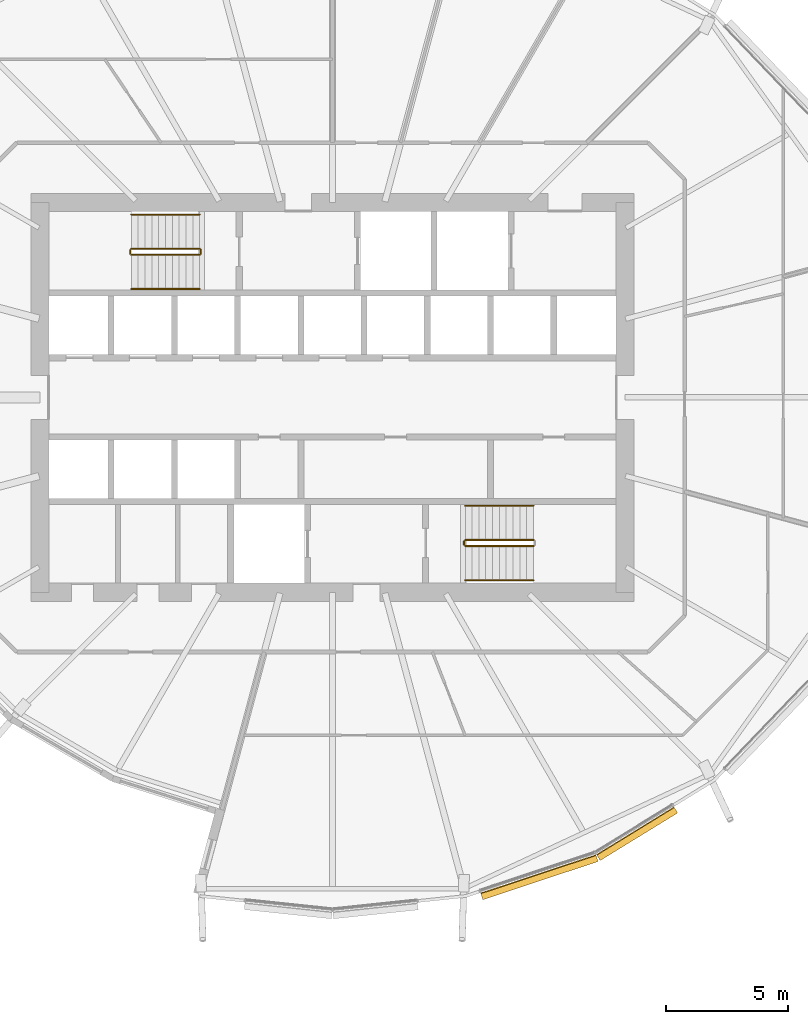
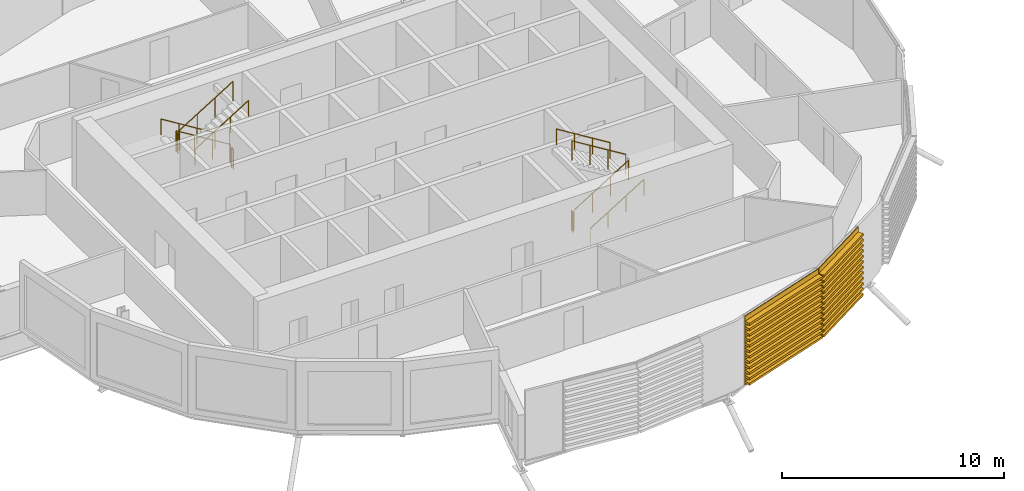
# One storey, part 34 of 39: 11 railings, 2 coverings.
"""IFC4 building model written with IfcOpenShell, lengths in metres."""

import ifcopenshell
import ifcopenshell.guid

model = None  # the IFC model being written
_history = None  # IfcOwnerHistory: only IFC2X3 demands one
_inside = {}  # id of a spatial element -> (the spatial element, [elements in it])
_under = {}  # id of a project, library or spatial element -> (it, [spatial elements below it])
_declared = {}  # id of a project -> (the project, [libraries it declares])
_typed = {}  # id of a type object -> (the type object, [elements of that type])
_made_of = {}  # id of a material, layer set ... -> (it, [elements and type objects made of it])


def new_model(schema):
    """Start an empty IFC model of exactly this schema.

    Asked for "IFC4X3", IfcOpenShell would pick the latest addendum, in which some entities
    have other attributes; the version numbers below select the first issue.
    IFC2X3 requires an IfcOwnerHistory on every rooted entity: one is made here for all.
    """
    global model, _history
    if schema == "IFC4X3":
        model = ifcopenshell.file(schema_version=(4, 3, 0, 0))
    else:
        model = ifcopenshell.file(schema=schema)
    _inside.clear()
    _under.clear()
    _declared.clear()
    _typed.clear()
    _made_of.clear()
    _history = None
    if model.schema == "IFC2X3":
        org = make("IfcOrganization", Name="unknown")
        user = make(
            "IfcPersonAndOrganization",
            ThePerson=make("IfcPerson", FamilyName="unknown"),
            TheOrganization=org,
        )
        app = make(
            "IfcApplication",
            ApplicationDeveloper=org,
            Version="unknown",
            ApplicationFullName="unknown",
            ApplicationIdentifier="unknown",
        )
        _history = make(
            "IfcOwnerHistory",
            OwningUser=user,
            OwningApplication=app,
            ChangeAction="ADDED",
            CreationDate=0,
        )
    return model


def make(cls, **values):
    """One entity of the class cls with the attributes given. An attribute that is None is left unset."""
    return model.create_entity(
        cls, **{name: value for name, value in values.items() if value is not None}
    )


def rooted(cls, **values):
    """An entity with a GlobalId (a new one), such as an element, a storey or a relation."""
    return make(cls, GlobalId=ifcopenshell.guid.new(), OwnerHistory=_history, **values)


def si_unit(unit_type, name, prefix=None):
    """IfcSIUnit, for example si_unit("LENGTHUNIT", "METRE", prefix="MILLI")."""
    return make("IfcSIUnit", UnitType=unit_type, Prefix=prefix, Name=name)


def assignment(units):
    """IfcUnitAssignment: the units of a project."""
    return None if units is None else make("IfcUnitAssignment", Units=units)


def point(xyz):
    """IfcCartesianPoint."""
    return None if xyz is None else make("IfcCartesianPoint", Coordinates=xyz)


def direction(xyz):
    """IfcDirection."""
    return None if xyz is None else make("IfcDirection", DirectionRatios=xyz)


def frame(location, z_axis=None, x_axis=None):
    """IfcAxis2Placement3D, a coordinate frame: its origin and axes. An axis left out is left unset."""
    return make(
        "IfcAxis2Placement3D",
        Location=point(location),
        Axis=direction(z_axis),
        RefDirection=direction(x_axis),
    )


def frame_2d(location, x_axis=None):
    """IfcAxis2Placement2D, a coordinate frame in the plane: its origin and x axis."""
    return make(
        "IfcAxis2Placement2D", Location=point(location), RefDirection=direction(x_axis)
    )


def origin():
    """The frame at (0, 0, 0) with its axes left unset."""
    return frame((0.0, 0.0, 0.0))


def origin_2d():
    """The frame at (0, 0) in the plane with its x axis left unset."""
    return frame_2d((0.0, 0.0))


def place(relative_to, where):
    """IfcLocalPlacement: puts the frame where relative to a parent placement (None: the world)."""
    return make(
        "IfcLocalPlacement", PlacementRelTo=relative_to, RelativePlacement=where
    )


def context(
    kind, dimensions, precision=None, world=None, true_north=None, identifier=None
):
    """IfcGeometricRepresentationContext, for example the 3D "Model" context."""
    return make(
        "IfcGeometricRepresentationContext",
        ContextIdentifier=identifier,
        ContextType=kind,
        CoordinateSpaceDimension=dimensions,
        Precision=precision,
        WorldCoordinateSystem=world,
        TrueNorth=true_north,
    )


def subcontext(parent, identifier, kind, view, scale=None):
    """IfcGeometricRepresentationSubContext, for example "Body" below "Model"."""
    return make(
        "IfcGeometricRepresentationSubContext",
        ContextIdentifier=identifier,
        ContextType=kind,
        ParentContext=parent,
        TargetScale=scale,
        TargetView=view,
    )


def project(units=None, contexts=None):
    """IfcProject with its units and contexts."""
    return rooted(
        "IfcProject",
        Name="project",
        RepresentationContexts=contexts,
        UnitsInContext=assignment(units),
    )


def spatial(cls, under=None, at=None, **own):
    """A site, building, storey or space (cls), placed at a placement, below another one or the project."""
    s = rooted(cls, ObjectPlacement=at, **own)
    if under is not None:
        _under.setdefault(under.id(), (under, []))[1].append(s)
    return s


def polyline(points):
    """IfcPolyline through the points."""
    return make("IfcPolyline", Points=[point(p) for p in points])


def profile(cls, at=None, kind="AREA", **sizes):
    """A parametric profile (cls). Its sizes go by their IFC names, for example OverallWidth=200.0."""
    return make(cls, ProfileType=kind, Position=at, **sizes)


def circle(**sizes):
    """IfcCircleProfileDef."""
    return profile("IfcCircleProfileDef", **sizes)


def outline(outer, holes=None, kind="AREA"):
    """IfcArbitraryClosedProfileDef: a profile drawn as a closed curve; with holes, ...WithVoids."""
    if holes is None:
        return make("IfcArbitraryClosedProfileDef", ProfileType=kind, OuterCurve=outer)
    return make(
        "IfcArbitraryProfileDefWithVoids",
        ProfileType=kind,
        OuterCurve=outer,
        InnerCurves=holes,
    )


def extrude(swept, where, along, depth):
    """IfcExtrudedAreaSolid: the profile swept, set in the frame where, extruded along a direction by depth."""
    return make(
        "IfcExtrudedAreaSolid",
        SweptArea=swept,
        Position=where,
        ExtrudedDirection=direction(along),
        Depth=depth,
    )


def shape(context_of_items, identifier, shape_type, items):
    """IfcShapeRepresentation: the items that make up one representation, for example the "Body"."""
    return make(
        "IfcShapeRepresentation",
        ContextOfItems=context_of_items,
        RepresentationIdentifier=identifier,
        RepresentationType=shape_type,
        Items=items,
    )


def material(Name=None, Category=None):
    """IfcMaterial."""
    return make("IfcMaterial", Name=Name, Category=Category)


def material_profile(
    of_material, cross_section, Name=None, Category=None, Priority=None
):
    """IfcMaterialProfile: a cross section and its material."""
    return make(
        "IfcMaterialProfile",
        Name=Name,
        Material=of_material,
        Profile=cross_section,
        Priority=Priority,
        Category=Category,
    )


def profile_set(profiles, Name=None, composite=None):
    """IfcMaterialProfileSet."""
    return make(
        "IfcMaterialProfileSet",
        Name=Name,
        MaterialProfiles=profiles,
        CompositeProfile=composite,
    )


def made_of(thing, what):
    """Note that an element or type object is made of a material, layer set ...; save() writes the relation."""
    if what is not None:
        _made_of.setdefault(what.id(), (what, []))[1].append(thing)
    return thing


def type_object(cls, material=None, **own):
    """A type object (cls), such as IfcWallType, which elements share."""
    return made_of(rooted(cls, **own), material)


def element(
    cls,
    number,
    at=None,
    inside=None,
    cuts=None,
    type_object=None,
    material=None,
    context=None,
    identifier="Body",
    shape_type=None,
    held_by="IfcProductDefinitionShape",
    body=None,
    shapes=None,
    **own,
):
    """One element of the class cls, such as IfcWall. Its Tag is "e" and its number.

    at: its placement. inside: the storey or other place that contains it. cuts: it is an
    opening in that element (IfcRelVoidsElement). A single representation is given by context,
    identifier, shape_type and body (its items); several are given by shapes. held_by: the class
    of the entity that holds the representations. save() writes the other relations.
    """
    e = rooted(cls, Tag="e%d" % number, ObjectPlacement=at, **own)
    if body is not None:
        shapes = [shape(context, identifier, shape_type, body)]
    if shapes is not None:
        e.Representation = make(held_by, Representations=shapes)
    if inside is not None:
        _inside.setdefault(inside.id(), (inside, []))[1].append(e)
    if cuts is not None:
        rooted(
            "IfcRelVoidsElement", RelatingBuildingElement=cuts, RelatedOpeningElement=e
        )
    if type_object is not None:
        _typed.setdefault(type_object.id(), (type_object, []))[1].append(e)
    return made_of(e, material)


def aggregate(whole, parts):
    """IfcRelAggregates: a whole, such as a stair, and the parts it consists of."""
    return rooted("IfcRelAggregates", RelatingObject=whole, RelatedObjects=parts)


def save(model, path):
    """Write the relations noted so far, then the file.

    IfcRelAggregates (storeys below a building ...), IfcRelContainedInSpatialStructure (elements
    in a storey), IfcRelDefinesByType, IfcRelAssociatesMaterial and IfcRelDeclares: one each for
    every whole, place, type object, material and project.
    """
    for whole, parts in _under.values():
        aggregate(whole, parts)
    for where, things in _inside.values():
        rooted(
            "IfcRelContainedInSpatialStructure",
            RelatedElements=things,
            RelatingStructure=where,
        )
    for kind, things in _typed.values():
        rooted("IfcRelDefinesByType", RelatedObjects=things, RelatingType=kind)
    for what, things in _made_of.values():
        rooted("IfcRelAssociatesMaterial", RelatedObjects=things, RelatingMaterial=what)
    for by, libraries in _declared.values():
        rooted("IfcRelDeclares", RelatingContext=by, RelatedDefinitions=libraries)
    model.write(path)


model = new_model("IFC4")

# Units and contexts
model_context = context("Model", 3, precision=1e-05, world=origin(), true_north=direction((0.0, 1.0)))
body_context = subcontext(model_context, "Body", "Model", "MODEL_VIEW")
ifc_project = project(units=[si_unit("LENGTHUNIT", "METRE"), si_unit("AREAUNIT", "SQUARE_METRE"), si_unit("VOLUMEUNIT", "CUBIC_METRE"), si_unit("PLANEANGLEUNIT", "RADIAN"), si_unit("MASSUNIT", "GRAM", prefix="KILO")], contexts=[model_context])

# Site, building, storey
site_placement = place(None, origin())
site = spatial("IfcSite", under=ifc_project, at=site_placement, CompositionType="ELEMENT")
building_placement = place(site_placement, origin())
building = spatial("IfcBuilding", under=site, at=building_placement, Name="Rimbun Link Towers", CompositionType="ELEMENT")
storey_placement = place(building_placement, frame((0.0, 0.0, 96.800048828125)))
storey = spatial("IfcBuildingStorey", under=building, at=storey_placement, Name="L23", CompositionType="ELEMENT", Elevation=96.800048828125)

# Railings
ifc_material_1 = material(Name="Stainless steel grade 316", Category="steel")
railing_type_1 = type_object("IfcRailingType", Name="Stair guard", PredefinedType="GUARDRAIL", material=ifc_material_1)
railing_1_placement = place(storey_placement, frame((-37.199951171875, 6.10009765625, 0.172607421875)))
element("IfcRailing", 1, at=railing_1_placement, inside=storey, type_object=railing_type_1, Name="L23 ST1 stair guard 1", PredefinedType="GUARDRAIL", context=body_context, shape_type="SweptSolid", body=[
    extrude(circle(Radius=0.02392578125, at=origin_2d()), frame((0.0, 0.0, 1.076171875), z_axis=(-0.851089632645, 0.0, 0.525020415988), x_axis=(0.0, -1.0, 0.0)), (0.0, 0.0, 1.0), 3.2900390625),
    extrude(circle(Radius=0.02099609375, at=origin_2d()), origin(), (0.0, 0.0, 1.0), 1.052001953125),
    extrude(circle(Radius=0.02099609375, at=origin_2d()), frame((-0.933349609375, 0.0, 0.57568359375)), (0.0, 0.0, 1.0), 1.052001953125),
    extrude(circle(Radius=0.02099609375, at=origin_2d()), frame((-1.86669921875, 0.0, 1.151611328125)), (0.0, 0.0, 1.0), 1.052001953125),
    extrude(circle(Radius=0.02099609375, at=origin_2d()), frame((-2.800048828125, 0.0, 1.727294921875)), (0.0, 0.0, 1.0), 1.052001953125),
])
railing_2_placement = place(storey_placement, frame((-40.050048828125, 6.050048828125, 1.89990234375)))
element("IfcRailing", 2, at=railing_2_placement, inside=storey, type_object=railing_type_1, Name="L23 ST1 stair guard 2", PredefinedType="GUARDRAIL", context=body_context, shape_type="SweptSolid", body=[
    extrude(circle(Radius=0.02392578125, at=origin_2d()), frame((0.0, 0.0, 1.076171875), z_axis=(0.0, -1.0, 0.0), x_axis=(1.0, 0.0, 0.0)), (0.0, 0.0, 1.0), 0.150146484375),
    extrude(circle(Radius=0.02099609375, at=origin_2d()), origin(), (0.0, 0.0, 1.0), 1.052001953125),
    extrude(circle(Radius=0.02099609375, at=origin_2d()), frame((0.0, -0.150146484375, 0.0)), (0.0, 0.0, 1.0), 1.052001953125),
])
railing_3_placement = place(storey_placement, frame((-40.0, 5.85009765625, 2.07275390625)))
element("IfcRailing", 3, at=railing_3_placement, inside=storey, type_object=railing_type_1, Name="L23 ST1 stair guard 3", PredefinedType="GUARDRAIL", context=body_context, shape_type="SweptSolid", body=[
    extrude(circle(Radius=0.02392578125, at=origin_2d()), frame((0.0, 0.0, 1.076171875), z_axis=(0.851089632645, 0.0, 0.525020415988), x_axis=(0.0, 1.0, 0.0)), (0.0, 0.0, 1.0), 3.2900390625),
    extrude(circle(Radius=0.02099609375, at=origin_2d()), origin(), (0.0, 0.0, 1.0), 1.052001953125),
    extrude(circle(Radius=0.02099609375, at=origin_2d()), frame((0.933349609375, 0.0, 0.57568359375)), (0.0, 0.0, 1.0), 1.052001953125),
    extrude(circle(Radius=0.02099609375, at=origin_2d()), frame((1.86669921875, 0.0, 1.151611328125)), (0.0, 0.0, 1.0), 1.052001953125),
    extrude(circle(Radius=0.02099609375, at=origin_2d()), frame((2.800048828125, 0.0, 1.727294921875)), (0.0, 0.0, 1.0), 1.052001953125),
])
railing_4_placement = place(storey_placement, frame((-37.14990234375, 6.050048828125, 0.0)))
element("IfcRailing", 4, at=railing_4_placement, inside=storey, type_object=railing_type_1, Name="L23 ST1 stair guard 4", PredefinedType="GUARDRAIL", context=body_context, shape_type="SweptSolid", body=[
    extrude(circle(Radius=0.02392578125, at=origin_2d()), frame((0.0, 0.0, 1.076171875), z_axis=(0.0, -1.0, 0.0), x_axis=(1.0, 0.0, 0.0)), (0.0, 0.0, 1.0), 0.150146484375),
    extrude(circle(Radius=0.02099609375, at=origin_2d()), origin(), (0.0, 0.0, 1.0), 1.052001953125),
    extrude(circle(Radius=0.02099609375, at=origin_2d()), frame((0.0, -0.150146484375, 0.0)), (0.0, 0.0, 1.0), 1.052001953125),
])
railing_5_placement = place(storey_placement, frame((-26.300048828125, -6.10009765625, 0.172607421875)))
element("IfcRailing", 5, at=railing_5_placement, inside=storey, type_object=railing_type_1, Name="L23 ST2 stair guard 1", PredefinedType="GUARDRAIL", context=body_context, shape_type="SweptSolid", body=[
    extrude(circle(Radius=0.02392578125, at=origin_2d()), frame((0.0, 0.0, 1.076171875), z_axis=(0.851089632645, 0.0, 0.525020415988), x_axis=(0.0, 1.0, 0.0)), (0.0, 0.0, 1.0), 3.2900390625),
    extrude(circle(Radius=0.02099609375, at=origin_2d()), origin(), (0.0, 0.0, 1.0), 1.052001953125),
    extrude(circle(Radius=0.02099609375, at=origin_2d()), frame((0.933349609375, 0.0, 0.57568359375)), (0.0, 0.0, 1.0), 1.052001953125),
    extrude(circle(Radius=0.02099609375, at=origin_2d()), frame((1.86669921875, 0.0, 1.151611328125)), (0.0, 0.0, 1.0), 1.052001953125),
    extrude(circle(Radius=0.02099609375, at=origin_2d()), frame((2.800048828125, 0.0, 1.727294921875)), (0.0, 0.0, 1.0), 1.052001953125),
])
railing_6_placement = place(storey_placement, frame((-23.5, -5.85009765625, 2.07275390625)))
element("IfcRailing", 6, at=railing_6_placement, inside=storey, type_object=railing_type_1, Name="L23 ST2 stair guard 3", PredefinedType="GUARDRAIL", context=body_context, shape_type="SweptSolid", body=[
    extrude(circle(Radius=0.02392578125, at=origin_2d()), frame((0.0, 0.0, 1.076171875), z_axis=(-0.851089632645, 0.0, 0.525020415988), x_axis=(0.0, -1.0, 0.0)), (0.0, 0.0, 1.0), 3.2900390625),
    extrude(circle(Radius=0.02099609375, at=origin_2d()), origin(), (0.0, 0.0, 1.0), 1.052001953125),
    extrude(circle(Radius=0.02099609375, at=origin_2d()), frame((-0.933349609375, 0.0, 0.57568359375)), (0.0, 0.0, 1.0), 1.052001953125),
    extrude(circle(Radius=0.02099609375, at=origin_2d()), frame((-1.86669921875, 0.0, 1.151611328125)), (0.0, 0.0, 1.0), 1.052001953125),
    extrude(circle(Radius=0.02099609375, at=origin_2d()), frame((-2.800048828125, 0.0, 1.727294921875)), (0.0, 0.0, 1.0), 1.052001953125),
])
railing_7_placement = place(storey_placement, frame((-26.35009765625, -6.050048828125, 0.0)))
element("IfcRailing", 7, at=railing_7_placement, inside=storey, type_object=railing_type_1, Name="L23 ST2 stair guard 4", PredefinedType="GUARDRAIL", context=body_context, shape_type="SweptSolid", body=[
    extrude(circle(Radius=0.02392578125, at=origin_2d()), frame((0.0, 0.0, 1.076171875), z_axis=(0.0, 1.0, 0.0), x_axis=(-1.0, 0.0, 0.0)), (0.0, 0.0, 1.0), 0.150146484375),
    extrude(circle(Radius=0.02099609375, at=origin_2d()), origin(), (0.0, 0.0, 1.0), 1.052001953125),
    extrude(circle(Radius=0.02099609375, at=origin_2d()), frame((0.0, 0.150146484375, 0.0)), (0.0, 0.0, 1.0), 1.052001953125),
])
ifc_material_2 = material(Name="Stainless steel grade 316", Category="steel")
railing_type_2 = type_object("IfcRailingType", Name="Stair handrail", PredefinedType="HANDRAIL", material=ifc_material_2)
railing_8_placement = place(storey_placement, frame((-37.199951171875, 7.5, 0.172607421875)))
element("IfcRailing", 8, at=railing_8_placement, inside=storey, type_object=railing_type_2, Name="L23 ST1 stair handrail 1", PredefinedType="HANDRAIL", context=body_context, shape_type="SweptSolid", body=[
    extrude(circle(Radius=0.02392578125, at=origin_2d()), frame((0.0, 0.0, 0.8759765625), z_axis=(-0.851089632645, 0.0, 0.525020415988), x_axis=(0.0, -1.0, 0.0)), (0.0, 0.0, 1.0), 3.2900390625),
    extrude(circle(Radius=0.02099609375, at=origin_2d()), origin(), (0.0, 0.0, 1.0), 0.851806640625),
    extrude(circle(Radius=0.02099609375, at=origin_2d()), frame((-0.933349609375, 0.0, 0.57568359375)), (0.0, 0.0, 1.0), 0.851806640625),
    extrude(circle(Radius=0.02099609375, at=origin_2d()), frame((-1.86669921875, 0.0, 1.151611328125)), (0.0, 0.0, 1.0), 0.851806640625),
    extrude(circle(Radius=0.02099609375, at=origin_2d()), frame((-2.800048828125, 0.0, 1.727294921875)), (0.0, 0.0, 1.0), 0.851806640625),
])
for number, where, name in (
    (9, (-40.0, 4.449951171875, 2.07275390625), "L23 ST1 stair handrail 2"),
    (10, (-26.300048828125, -7.5, 0.172607421875), "L23 ST2 stair handrail 1"),
):
    element("IfcRailing", number, at=place(storey_placement, frame(where)), inside=storey, type_object=railing_type_2, Name=name, PredefinedType="HANDRAIL", context=body_context, shape_type="SweptSolid", body=[
        extrude(circle(Radius=0.02392578125, at=origin_2d()), frame((0.0, 0.0, 0.8759765625), z_axis=(0.851089632645, 0.0, 0.525020415988), x_axis=(0.0, 1.0, 0.0)), (0.0, 0.0, 1.0), 3.2900390625),
        extrude(circle(Radius=0.02099609375, at=origin_2d()), origin(), (0.0, 0.0, 1.0), 0.851806640625),
        extrude(circle(Radius=0.02099609375, at=origin_2d()), frame((0.933349609375, 0.0, 0.57568359375)), (0.0, 0.0, 1.0), 0.851806640625),
        extrude(circle(Radius=0.02099609375, at=origin_2d()), frame((1.86669921875, 0.0, 1.151611328125)), (0.0, 0.0, 1.0), 0.851806640625),
        extrude(circle(Radius=0.02099609375, at=origin_2d()), frame((2.800048828125, 0.0, 1.727294921875)), (0.0, 0.0, 1.0), 0.851806640625),
    ])
railing_9_placement = place(storey_placement, frame((-23.5, -4.449951171875, 2.07275390625)))
element("IfcRailing", 11, at=railing_9_placement, inside=storey, type_object=railing_type_2, Name="L23 ST2 stair handrail 2", PredefinedType="HANDRAIL", context=body_context, shape_type="SweptSolid", body=[
    extrude(circle(Radius=0.02392578125, at=origin_2d()), frame((0.0, 0.0, 0.8759765625), z_axis=(-0.851089632645, 0.0, 0.525020415988), x_axis=(0.0, -1.0, 0.0)), (0.0, 0.0, 1.0), 3.2900390625),
    extrude(circle(Radius=0.02099609375, at=origin_2d()), origin(), (0.0, 0.0, 1.0), 0.851806640625),
    extrude(circle(Radius=0.02099609375, at=origin_2d()), frame((-0.933349609375, 0.0, 0.57568359375)), (0.0, 0.0, 1.0), 0.851806640625),
    extrude(circle(Radius=0.02099609375, at=origin_2d()), frame((-1.86669921875, 0.0, 1.151611328125)), (0.0, 0.0, 1.0), 0.851806640625),
    extrude(circle(Radius=0.02099609375, at=origin_2d()), frame((-2.800048828125, 0.0, 1.727294921875)), (0.0, 0.0, 1.0), 0.851806640625),
])

# Coverings
ifc_material_3 = material(Name="Terracotta", Category="masonry")
ifc_material_profile = material_profile(ifc_material_3, outline(polyline([(0.123046875, 0.0), (0.1630859375, 0.0), (0.1630859375, 0.10009765625), (0.423095703125, 0.10009765625), (0.423095703125, 0.219970703125), (0.1630859375, 0.219970703125), (0.1630859375, 0.39990234375), (0.423095703125, 0.39990234375), (0.423095703125, 0.52001953125), (0.1630859375, 0.52001953125), (0.1630859375, 0.699951171875), (0.423095703125, 0.699951171875), (0.423095703125, 0.820068359375), (0.1630859375, 0.820068359375), (0.1630859375, 1.0), (0.423095703125, 1.0), (0.423095703125, 1.1201171875), (0.1630859375, 1.1201171875), (0.1630859375, 1.300048828125), (0.423095703125, 1.300048828125), (0.423095703125, 1.419921875), (0.1630859375, 1.419921875), (0.1630859375, 1.60009765625), (0.423095703125, 1.60009765625), (0.423095703125, 1.719970703125), (0.1630859375, 1.719970703125), (0.1630859375, 1.89990234375), (0.423095703125, 1.89990234375), (0.423095703125, 2.02001953125), (0.1630859375, 2.02001953125), (0.1630859375, 2.199951171875), (0.423095703125, 2.199951171875), (0.423095703125, 2.320068359375), (0.1630859375, 2.320068359375), (0.1630859375, 2.5), (0.423095703125, 2.5), (0.423095703125, 2.6201171875), (0.1630859375, 2.6201171875), (0.1630859375, 2.800048828125), (0.423095703125, 2.800048828125), (0.423095703125, 2.919921875), (0.1630859375, 2.919921875), (0.1630859375, 3.10009765625), (0.423095703125, 3.10009765625), (0.423095703125, 3.219970703125), (0.1630859375, 3.219970703125), (0.1630859375, 3.39990234375), (0.423095703125, 3.39990234375), (0.423095703125, 3.52001953125), (0.1630859375, 3.52001953125), (0.1630859375, 3.800048828125), (0.123046875, 3.800048828125), (0.123046875, 0.0)])), Name="BAGUETTE 120X300")
ifc_profile_set = profile_set([ifc_material_profile], Name="Terracotta")
covering_type = type_object("IfcCoveringType", Name="TERRACOTTA BAGUETTE 120X300 H3800", PredefinedType="CLADDING", material=ifc_profile_set)
covering_1_placement = place(storey_placement, frame((-20.985107421875, -18.6455078125, 0.0), z_axis=(-0.949230755565, -0.314580629871, 0.0), x_axis=(0.314580629871, -0.949230755565, 0.0)))
element("IfcCovering", 12, at=covering_1_placement, inside=storey, type_object=covering_type, Name="TERRACOTTA BAGUETTE", PredefinedType="CLADDING", context=body_context, shape_type="SweptSolid", body=[
    extrude(outline(polyline([(0.123046875, 0.0), (0.1630859375, 0.0), (0.1630859375, 0.10009765625), (0.423095703125, 0.10009765625), (0.423095703125, 0.219970703125), (0.1630859375, 0.219970703125), (0.1630859375, 0.39990234375), (0.423095703125, 0.39990234375), (0.423095703125, 0.52001953125), (0.1630859375, 0.52001953125), (0.1630859375, 0.699951171875), (0.423095703125, 0.699951171875), (0.423095703125, 0.820068359375), (0.1630859375, 0.820068359375), (0.1630859375, 1.0), (0.423095703125, 1.0), (0.423095703125, 1.1201171875), (0.1630859375, 1.1201171875), (0.1630859375, 1.300048828125), (0.423095703125, 1.300048828125), (0.423095703125, 1.419921875), (0.1630859375, 1.419921875), (0.1630859375, 1.60009765625), (0.423095703125, 1.60009765625), (0.423095703125, 1.719970703125), (0.1630859375, 1.719970703125), (0.1630859375, 1.89990234375), (0.423095703125, 1.89990234375), (0.423095703125, 2.02001953125), (0.1630859375, 2.02001953125), (0.1630859375, 2.199951171875), (0.423095703125, 2.199951171875), (0.423095703125, 2.320068359375), (0.1630859375, 2.320068359375), (0.1630859375, 2.5), (0.423095703125, 2.5), (0.423095703125, 2.6201171875), (0.1630859375, 2.6201171875), (0.1630859375, 2.800048828125), (0.423095703125, 2.800048828125), (0.423095703125, 2.919921875), (0.1630859375, 2.919921875), (0.1630859375, 3.10009765625), (0.423095703125, 3.10009765625), (0.423095703125, 3.219970703125), (0.1630859375, 3.219970703125), (0.1630859375, 3.39990234375), (0.423095703125, 3.39990234375), (0.423095703125, 3.52001953125), (0.1630859375, 3.52001953125), (0.1630859375, 3.800048828125), (0.123046875, 3.800048828125), (0.123046875, 0.0)])), origin(), (0.0, 0.0, 1.0), 4.981689453125),
])
covering_2_placement = place(storey_placement, frame((-17.806884765625, -16.694091796875, 0.0), z_axis=(-0.852186076531, -0.523238846959, 0.0), x_axis=(0.523238846959, -0.852186076531, 0.0)))
element("IfcCovering", 13, at=covering_2_placement, inside=storey, type_object=covering_type, Name="TERRACOTTA BAGUETTE", PredefinedType="CLADDING", context=body_context, shape_type="SweptSolid", body=[
    extrude(outline(polyline([(0.123046875, 0.0), (0.1630859375, 0.0), (0.1630859375, 0.10009765625), (0.423095703125, 0.10009765625), (0.423095703125, 0.219970703125), (0.1630859375, 0.219970703125), (0.1630859375, 0.39990234375), (0.423095703125, 0.39990234375), (0.423095703125, 0.52001953125), (0.1630859375, 0.52001953125), (0.1630859375, 0.699951171875), (0.423095703125, 0.699951171875), (0.423095703125, 0.820068359375), (0.1630859375, 0.820068359375), (0.1630859375, 1.0), (0.423095703125, 1.0), (0.423095703125, 1.1201171875), (0.1630859375, 1.1201171875), (0.1630859375, 1.300048828125), (0.423095703125, 1.300048828125), (0.423095703125, 1.419921875), (0.1630859375, 1.419921875), (0.1630859375, 1.60009765625), (0.423095703125, 1.60009765625), (0.423095703125, 1.719970703125), (0.1630859375, 1.719970703125), (0.1630859375, 1.89990234375), (0.423095703125, 1.89990234375), (0.423095703125, 2.02001953125), (0.1630859375, 2.02001953125), (0.1630859375, 2.199951171875), (0.423095703125, 2.199951171875), (0.423095703125, 2.320068359375), (0.1630859375, 2.320068359375), (0.1630859375, 2.5), (0.423095703125, 2.5), (0.423095703125, 2.6201171875), (0.1630859375, 2.6201171875), (0.1630859375, 2.800048828125), (0.423095703125, 2.800048828125), (0.423095703125, 2.919921875), (0.1630859375, 2.919921875), (0.1630859375, 3.10009765625), (0.423095703125, 3.10009765625), (0.423095703125, 3.219970703125), (0.1630859375, 3.219970703125), (0.1630859375, 3.39990234375), (0.423095703125, 3.39990234375), (0.423095703125, 3.52001953125), (0.1630859375, 3.52001953125), (0.1630859375, 3.800048828125), (0.123046875, 3.800048828125), (0.123046875, 0.0)])), origin(), (0.0, 0.0, 1.0), 3.7294921875),
])

save(model, "model.ifc")
